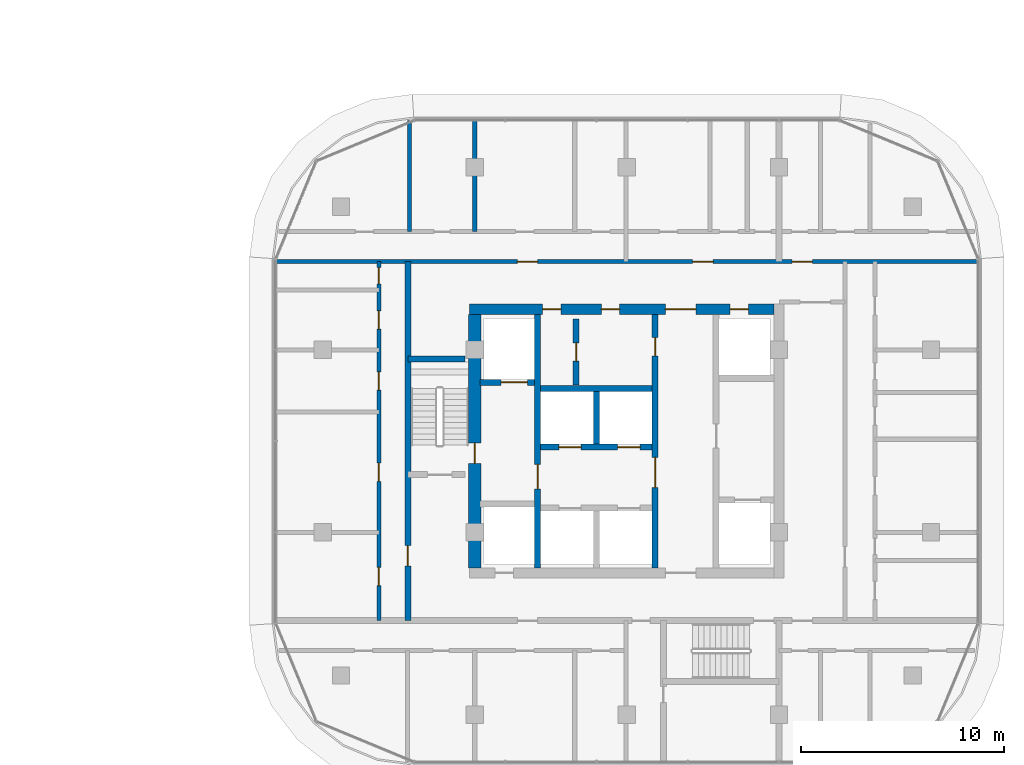
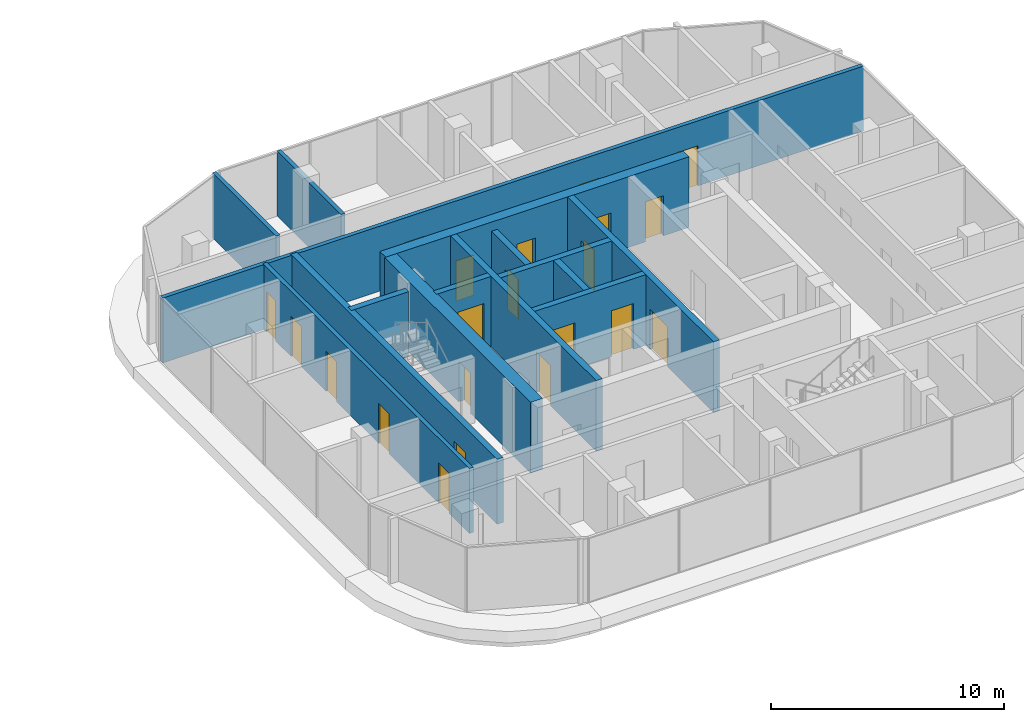
# One storey, part 23 of 36: 21 doors, 15 walls, 21 openings.
"""IFC4 building model written with IfcOpenShell, lengths in metres."""

from ifc_helpers import new_model, si_unit, direction, frame, frame_2d, origin, place, context, subcontext, project, spatial, rectangle, extrude, material, layer, layer_set, type_object, element, fill, save


model = new_model("IFC4")

# Units and contexts
model_context = context("Model", 3, precision=1e-05, world=origin(), true_north=direction((0.0, 1.0)))
body_context = subcontext(model_context, "Body", "Model", "MODEL_VIEW")
ifc_project = project(units=[si_unit("LENGTHUNIT", "METRE"), si_unit("AREAUNIT", "SQUARE_METRE"), si_unit("VOLUMEUNIT", "CUBIC_METRE"), si_unit("PLANEANGLEUNIT", "RADIAN"), si_unit("MASSUNIT", "GRAM", prefix="KILO")], contexts=[model_context])

# Site, building, storey
site_placement = place(None, origin())
site = spatial("IfcSite", under=ifc_project, at=site_placement, CompositionType="ELEMENT")
building_placement = place(site_placement, origin())
building = spatial("IfcBuilding", under=site, at=building_placement, Name="Ogive Portal Towers", CompositionType="ELEMENT")
storey_placement = place(building_placement, frame((0.0, 0.0, 63.10009765625)))
storey = spatial("IfcBuildingStorey", under=building, at=storey_placement, Name="L14", CompositionType="ELEMENT", Elevation=63.10009765625)

# Wall, opening, door
ifc_material_1 = material(Name="Concrete C60/75", Category="concrete")
ifc_layer_1 = layer(ifc_material_1, 0.300048828125)
ifc_layer_set_1 = layer_set([ifc_layer_1], Name="CORE WALL 300 C60")
wall_type_1 = type_object("IfcWallType", Name="CORE WALL 300 C60", PredefinedType="SHEAR", material=ifc_layer_set_1)
wall_1_placement = place(storey_placement, frame((132.10009765625, 24.75, 0.0), z_axis=(0.0, 0.0, 1.0), x_axis=(0.0, 1.0, 0.0)))
wall_1 = element("IfcWall", 1, at=wall_1_placement, inside=storey, type_object=wall_type_1, Name="Tower B core wall BX1 L14", PredefinedType="SHEAR", context=body_context, shape_type="SweptSolid", body=[
    extrude(rectangle(XDim=12.5, YDim=0.300048828125, at=frame_2d((6.25, 0.0))), origin(), (0.0, 0.0, 1.0), 3.699951171875),
])
opening_1_placement = place(wall_1_placement, frame((3.89990234375, 0.0, 0.0)))
opening_1 = element("IfcOpeningElement", 2, at=opening_1_placement, cuts=wall_1, Name="Opening B04-043", PredefinedType="OPENING", context=body_context, shape_type="SweptSolid", body=[
    extrude(rectangle(XDim=1.199951171875, YDim=2.10009765625, at=frame_2d((0.60009765625, 1.050048828125))), frame((0.0, 0.16015625, 0.0), z_axis=(0.0, -1.0, 0.0), x_axis=(1.0, 0.0, 0.0)), (0.0, 0.0, 1.0), 0.320068359375),
])
ifc_material_2 = material(Name="Steel fire door", Category="steel")
door_type_1 = type_object("IfcDoorType", Name="DT-SWING-1200x2100-FD90S", OperationType="SINGLE_SWING_LEFT", PredefinedType="DOOR", material=ifc_material_2)
door_1_placement = place(opening_1_placement, origin())
door_1 = element("IfcDoor", 3, at=door_1_placement, inside=storey, type_object=door_type_1, Name="Door B04-043", OperationType="SINGLE_SWING_LEFT", OverallHeight=2.10009765625, OverallWidth=1.199951171875, PredefinedType="DOOR", context=body_context, shape_type="SweptSolid", body=[
    extrude(rectangle(XDim=1.199951171875, YDim=2.10009765625, at=frame_2d((0.60009765625, 1.050048828125))), frame((0.0, 0.02490234375, 0.0), z_axis=(0.0, -1.0, 0.0), x_axis=(1.0, 0.0, 0.0)), (0.0, 0.0, 1.0), 0.050048828125),
])
fill(opening_1, door_1)

# Wall, openings, doors
wall_2_placement = place(storey_placement, frame((137.89990234375, 24.75, 0.0), z_axis=(0.0, 0.0, 1.0), x_axis=(0.0, 1.0, 0.0)))
wall_2 = element("IfcWall", 4, at=wall_2_placement, inside=storey, type_object=wall_type_1, Name="Tower B core wall BX2 L14", PredefinedType="SHEAR", context=body_context, shape_type="SweptSolid", body=[
    extrude(rectangle(XDim=12.5, YDim=0.300048828125, at=frame_2d((6.25, 0.0))), origin(), (0.0, 0.0, 1.0), 3.699951171875),
])
opening_2_placement = place(wall_2_placement, frame((3.949951171875, 0.0, 0.0)))
opening_2 = element("IfcOpeningElement", 5, at=opening_2_placement, cuts=wall_2, Name="Opening B04-042", PredefinedType="OPENING", context=body_context, shape_type="SweptSolid", body=[
    extrude(rectangle(XDim=1.5, YDim=2.10009765625, at=frame_2d((0.75, 1.050048828125))), frame((0.0, 0.16015625, 0.0), z_axis=(0.0, -1.0, 0.0), x_axis=(1.0, 0.0, 0.0)), (0.0, 0.0, 1.0), 0.320068359375),
])
opening_3_placement = place(wall_2_placement, frame((10.449951171875, 0.0, 0.0)))
opening_3 = element("IfcOpeningElement", 6, at=opening_3_placement, cuts=wall_2, Name="Opening B04-058", PredefinedType="OPENING", context=body_context, shape_type="SweptSolid", body=[
    extrude(rectangle(XDim=0.89990234375, YDim=2.10009765625, at=frame_2d((0.449951171875, 1.050048828125))), frame((0.0, 0.16015625, 0.0), z_axis=(0.0, -1.0, 0.0), x_axis=(1.0, 0.0, 0.0)), (0.0, 0.0, 1.0), 0.320068359375),
])
door_type_2 = type_object("IfcDoorType", Name="DT-SWING-1500x2100-FD90S", OperationType="SINGLE_SWING_LEFT", PredefinedType="DOOR", material=ifc_material_2)
door_2_placement = place(opening_2_placement, origin())
door_2 = element("IfcDoor", 7, at=door_2_placement, inside=storey, type_object=door_type_2, Name="Door B04-042", OperationType="SINGLE_SWING_RIGHT", OverallHeight=2.10009765625, OverallWidth=1.5, PredefinedType="DOOR", context=body_context, shape_type="SweptSolid", body=[
    extrude(rectangle(XDim=1.5, YDim=2.10009765625, at=frame_2d((0.75, 1.050048828125))), frame((0.0, 0.02490234375, 0.0), z_axis=(0.0, -1.0, 0.0), x_axis=(1.0, 0.0, 0.0)), (0.0, 0.0, 1.0), 0.050048828125),
])
fill(opening_2, door_2)
door_type_3 = type_object("IfcDoorType", Name="DT-SWING-900x2100-FD90S", OperationType="SINGLE_SWING_LEFT", PredefinedType="DOOR", material=ifc_material_2)
door_3_placement = place(opening_3_placement, origin())
door_3 = element("IfcDoor", 8, at=door_3_placement, inside=storey, type_object=door_type_3, Name="Door B04-058", OperationType="SINGLE_SWING_RIGHT", OverallHeight=2.10009765625, OverallWidth=0.89990234375, PredefinedType="DOOR", context=body_context, shape_type="SweptSolid", body=[
    extrude(rectangle(XDim=0.89990234375, YDim=2.10009765625, at=frame_2d((0.449951171875, 1.050048828125))), frame((0.0, 0.02490234375, 0.0), z_axis=(0.0, -1.0, 0.0), x_axis=(1.0, 0.0, 0.0)), (0.0, 0.0, 1.0), 0.050048828125),
])
fill(opening_3, door_3)

# Wall
wall_3_placement = place(storey_placement, frame((135.0, 30.85009765625, 0.0), z_axis=(0.0, 0.0, 1.0), x_axis=(0.0, 1.0, 0.0)))
element("IfcWall", 9, at=wall_3_placement, inside=storey, type_object=wall_type_1, Name="Tower B core wall BX5 L14", PredefinedType="SHEAR", context=body_context, shape_type="SweptSolid", body=[
    extrude(rectangle(XDim=2.599853515625, YDim=0.300048828125, at=frame_2d((1.2998046875, 0.0))), origin(), (0.0, 0.0, 1.0), 3.699951171875),
])

# Wall, openings, doors
wall_4_placement = place(storey_placement, frame((132.25, 30.699951171875, 0.0), z_axis=(0.0, 0.0, 1.0), x_axis=(1.0, 0.0, 0.0)))
wall_4 = element("IfcWall", 10, at=wall_4_placement, inside=storey, type_object=wall_type_1, Name="Tower B core wall BY2 L14", PredefinedType="SHEAR", context=body_context, shape_type="SweptSolid", body=[
    extrude(rectangle(XDim=5.5, YDim=0.300048828125, at=frame_2d((2.75, 0.0))), origin(), (0.0, 0.0, 1.0), 3.699951171875),
])
opening_4_placement = place(wall_4_placement, frame((0.89990234375, 0.0, 0.0)))
opening_4 = element("IfcOpeningElement", 11, at=opening_4_placement, cuts=wall_4, Name="Opening B04-052", PredefinedType="OPENING", context=body_context, shape_type="SweptSolid", body=[
    extrude(rectangle(XDim=1.10009765625, YDim=2.39990234375, at=frame_2d((0.550048828125, 1.199951171875))), frame((0.0, 0.16015625, 0.0), z_axis=(0.0, -1.0, 0.0), x_axis=(1.0, 0.0, 0.0)), (0.0, 0.0, 1.0), 0.320068359375),
])
opening_5_placement = place(wall_4_placement, frame((3.800048828125, 0.0, 0.0)))
opening_5 = element("IfcOpeningElement", 12, at=opening_5_placement, cuts=wall_4, Name="Opening B04-053", PredefinedType="OPENING", context=body_context, shape_type="SweptSolid", body=[
    extrude(rectangle(XDim=1.10009765625, YDim=2.39990234375, at=frame_2d((0.550048828125, 1.199951171875))), frame((0.0, 0.16015625, 0.0), z_axis=(0.0, -1.0, 0.0), x_axis=(1.0, 0.0, 0.0)), (0.0, 0.0, 1.0), 0.320068359375),
])
ifc_material_3 = material(Name="Stainless steel", Category="steel")
door_type_4 = type_object("IfcDoorType", Name="DT-LD-1100x2400", OperationType="SLIDING_TO_LEFT", PredefinedType="DOOR", material=ifc_material_3)
door_4_placement = place(opening_4_placement, origin())
door_4 = element("IfcDoor", 13, at=door_4_placement, inside=storey, type_object=door_type_4, Name="Door B04-052", OperationType="SLIDING_TO_LEFT", OverallHeight=2.39990234375, OverallWidth=1.10009765625, PredefinedType="DOOR", context=body_context, shape_type="SweptSolid", body=[
    extrude(rectangle(XDim=1.10009765625, YDim=2.39990234375, at=frame_2d((0.550048828125, 1.199951171875))), frame((0.0, 0.02490234375, 0.0), z_axis=(0.0, -1.0, 0.0), x_axis=(1.0, 0.0, 0.0)), (0.0, 0.0, 1.0), 0.050048828125),
])
fill(opening_4, door_4)
door_5_placement = place(opening_5_placement, origin())
door_5 = element("IfcDoor", 14, at=door_5_placement, inside=storey, type_object=door_type_4, Name="Door B04-053", OperationType="SLIDING_TO_LEFT", OverallHeight=2.39990234375, OverallWidth=1.10009765625, PredefinedType="DOOR", context=body_context, shape_type="SweptSolid", body=[
    extrude(rectangle(XDim=1.10009765625, YDim=2.39990234375, at=frame_2d((0.550048828125, 1.199951171875))), frame((0.0, 0.02490234375, 0.0), z_axis=(0.0, -1.0, 0.0), x_axis=(1.0, 0.0, 0.0)), (0.0, 0.0, 1.0), 0.050048828125),
])
fill(opening_5, door_5)

# Wall
wall_5_placement = place(storey_placement, frame((132.25, 33.60009765625, 0.0), z_axis=(0.0, 0.0, 1.0), x_axis=(1.0, 0.0, 0.0)))
element("IfcWall", 15, at=wall_5_placement, inside=storey, type_object=wall_type_1, Name="Tower B core wall BY3 L14", PredefinedType="SHEAR", context=body_context, shape_type="SweptSolid", body=[
    extrude(rectangle(XDim=5.5, YDim=0.300048828125, at=frame_2d((2.75, 0.0))), origin(), (0.0, 0.0, 1.0), 3.699951171875),
])

# Wall, opening, door
wall_6_placement = place(storey_placement, frame((129.25, 33.89990234375, 0.0), z_axis=(0.0, 0.0, 1.0), x_axis=(1.0, 0.0, 0.0)))
wall_6 = element("IfcWall", 16, at=wall_6_placement, inside=storey, type_object=wall_type_1, Name="Tower B core wall BY5 L14", PredefinedType="SHEAR", context=body_context, shape_type="SweptSolid", body=[
    extrude(rectangle(XDim=2.699951171875, YDim=0.300048828125, at=frame_2d((1.35009765625, 0.0))), origin(), (0.0, 0.0, 1.0), 3.699951171875),
])
opening_6_placement = place(wall_6_placement, frame((1.050048828125, 0.0, 0.0)))
opening_6 = element("IfcOpeningElement", 17, at=opening_6_placement, cuts=wall_6, Name="Opening B04-054", PredefinedType="OPENING", context=body_context, shape_type="SweptSolid", body=[
    extrude(rectangle(XDim=1.300048828125, YDim=2.39990234375, at=frame_2d((0.64990234375, 1.199951171875))), frame((0.0, 0.16015625, 0.0), z_axis=(0.0, -1.0, 0.0), x_axis=(1.0, 0.0, 0.0)), (0.0, 0.0, 1.0), 0.320068359375),
])
door_type_5 = type_object("IfcDoorType", Name="DT-LD-1300x2400", OperationType="SLIDING_TO_LEFT", PredefinedType="DOOR", material=ifc_material_3)
door_6_placement = place(opening_6_placement, origin())
door_6 = element("IfcDoor", 18, at=door_6_placement, inside=storey, type_object=door_type_5, Name="Door B04-054", OperationType="SLIDING_TO_LEFT", OverallHeight=2.39990234375, OverallWidth=1.300048828125, PredefinedType="DOOR", context=body_context, shape_type="SweptSolid", body=[
    extrude(rectangle(XDim=1.300048828125, YDim=2.39990234375, at=frame_2d((0.64990234375, 1.199951171875))), frame((0.0, 0.02490234375, 0.0), z_axis=(0.0, -1.0, 0.0), x_axis=(1.0, 0.0, 0.0)), (0.0, 0.0, 1.0), 0.050048828125),
])
fill(opening_6, door_6)

# Wall, openings, doors
ifc_layer_2 = layer(ifc_material_1, 0.5)
ifc_layer_set_2 = layer_set([ifc_layer_2], Name="CORE WALL 500 C60")
wall_type_2 = type_object("IfcWallType", Name="CORE WALL 500 C60", PredefinedType="SHEAR", material=ifc_layer_set_2)
wall_7_placement = place(storey_placement, frame((128.75, 37.5, 0.0), z_axis=(0.0, 0.0, 1.0), x_axis=(1.0, 0.0, 0.0)))
wall_7 = element("IfcWall", 19, at=wall_7_placement, inside=storey, type_object=wall_type_2, Name="Tower B core wall BN L14", PredefinedType="SHEAR", context=body_context, shape_type="SweptSolid", body=[
    extrude(rectangle(XDim=15.0, YDim=0.5, at=frame_2d((7.5, 0.0))), origin(), (0.0, 0.0, 1.0), 3.699951171875),
])
opening_7_placement = place(wall_7_placement, frame((9.64990234375, 0.0, 0.0)))
opening_7 = element("IfcOpeningElement", 20, at=opening_7_placement, cuts=wall_7, Name="Opening B04-047", PredefinedType="OPENING", context=body_context, shape_type="SweptSolid", body=[
    extrude(rectangle(XDim=1.5, YDim=2.10009765625, at=frame_2d((0.75, 1.050048828125))), frame((0.0, 0.260009765625, 0.0), z_axis=(0.0, -1.0, 0.0), x_axis=(1.0, 0.0, 0.0)), (0.0, 0.0, 1.0), 0.52001953125),
])
opening_8_placement = place(wall_7_placement, frame((12.85009765625, 0.0, 0.0)))
opening_8 = element("IfcOpeningElement", 21, at=opening_8_placement, cuts=wall_7, Name="Opening B04-049", PredefinedType="OPENING", context=body_context, shape_type="SweptSolid", body=[
    extrude(rectangle(XDim=0.89990234375, YDim=2.10009765625, at=frame_2d((0.449951171875, 1.050048828125))), frame((0.0, 0.260009765625, 0.0), z_axis=(0.0, -1.0, 0.0), x_axis=(1.0, 0.0, 0.0)), (0.0, 0.0, 1.0), 0.52001953125),
])
opening_9_placement = place(wall_7_placement, frame((3.60009765625, 0.0, 0.0)))
opening_9 = element("IfcOpeningElement", 22, at=opening_9_placement, cuts=wall_7, Name="Opening B04-056", PredefinedType="OPENING", context=body_context, shape_type="SweptSolid", body=[
    extrude(rectangle(XDim=0.89990234375, YDim=2.10009765625, at=frame_2d((0.449951171875, 1.050048828125))), frame((0.0, 0.260009765625, 0.0), z_axis=(0.0, -1.0, 0.0), x_axis=(1.0, 0.0, 0.0)), (0.0, 0.0, 1.0), 0.52001953125),
])
opening_10_placement = place(wall_7_placement, frame((6.5, 0.0, 0.0)))
opening_10 = element("IfcOpeningElement", 23, at=opening_10_placement, cuts=wall_7, Name="Opening B04-057", PredefinedType="OPENING", context=body_context, shape_type="SweptSolid", body=[
    extrude(rectangle(XDim=0.89990234375, YDim=2.10009765625, at=frame_2d((0.449951171875, 1.050048828125))), frame((0.0, 0.260009765625, 0.0), z_axis=(0.0, -1.0, 0.0), x_axis=(1.0, 0.0, 0.0)), (0.0, 0.0, 1.0), 0.52001953125),
])
door_7_placement = place(opening_7_placement, origin())
door_7 = element("IfcDoor", 24, at=door_7_placement, inside=storey, type_object=door_type_2, Name="Door B04-047", OperationType="SINGLE_SWING_RIGHT", OverallHeight=2.10009765625, OverallWidth=1.5, PredefinedType="DOOR", context=body_context, shape_type="SweptSolid", body=[
    extrude(rectangle(XDim=1.5, YDim=2.10009765625, at=frame_2d((0.75, 1.050048828125))), frame((0.0, 0.02490234375, 0.0), z_axis=(0.0, -1.0, 0.0), x_axis=(1.0, 0.0, 0.0)), (0.0, 0.0, 1.0), 0.050048828125),
])
fill(opening_7, door_7)
door_8_placement = place(opening_8_placement, origin())
door_8 = element("IfcDoor", 25, at=door_8_placement, inside=storey, type_object=door_type_3, Name="Riser access door B04-049", OperationType="SINGLE_SWING_RIGHT", OverallHeight=2.10009765625, OverallWidth=0.89990234375, PredefinedType="DOOR", context=body_context, shape_type="SweptSolid", body=[
    extrude(rectangle(XDim=0.89990234375, YDim=2.10009765625, at=frame_2d((0.449951171875, 1.050048828125))), frame((0.0, 0.02490234375, 0.0), z_axis=(0.0, -1.0, 0.0), x_axis=(1.0, 0.0, 0.0)), (0.0, 0.0, 1.0), 0.050048828125),
])
fill(opening_8, door_8)
door_9_placement = place(opening_9_placement, origin())
door_9 = element("IfcDoor", 26, at=door_9_placement, inside=storey, type_object=door_type_3, Name="Door B04-056", OperationType="SINGLE_SWING_LEFT", OverallHeight=2.10009765625, OverallWidth=0.89990234375, PredefinedType="DOOR", context=body_context, shape_type="SweptSolid", body=[
    extrude(rectangle(XDim=0.89990234375, YDim=2.10009765625, at=frame_2d((0.449951171875, 1.050048828125))), frame((0.0, 0.02490234375, 0.0), z_axis=(0.0, -1.0, 0.0), x_axis=(1.0, 0.0, 0.0)), (0.0, 0.0, 1.0), 0.050048828125),
])
fill(opening_9, door_9)
door_10_placement = place(opening_10_placement, origin())
door_10 = element("IfcDoor", 27, at=door_10_placement, inside=storey, type_object=door_type_3, Name="Door B04-057", OperationType="SINGLE_SWING_RIGHT", OverallHeight=2.10009765625, OverallWidth=0.89990234375, PredefinedType="DOOR", context=body_context, shape_type="SweptSolid", body=[
    extrude(rectangle(XDim=0.89990234375, YDim=2.10009765625, at=frame_2d((0.449951171875, 1.050048828125))), frame((0.0, 0.02490234375, 0.0), z_axis=(0.0, -1.0, 0.0), x_axis=(1.0, 0.0, 0.0)), (0.0, 0.0, 1.0), 0.050048828125),
])
fill(opening_10, door_10)

# Wall, opening, door
ifc_layer_3 = layer(ifc_material_1, 0.60009765625)
ifc_layer_set_3 = layer_set([ifc_layer_3], Name="CORE WALL 600 C60")
wall_type_3 = type_object("IfcWallType", Name="CORE WALL 600 C60", PredefinedType="SHEAR", material=ifc_layer_set_3)
wall_8_placement = place(storey_placement, frame((129.0, 24.75, 0.0), z_axis=(0.0, 0.0, 1.0), x_axis=(0.0, 1.0, 0.0)))
wall_8 = element("IfcWall", 28, at=wall_8_placement, inside=storey, type_object=wall_type_3, Name="Tower B core wall BW L14", PredefinedType="SHEAR", context=body_context, shape_type="SweptSolid", body=[
    extrude(rectangle(XDim=12.5, YDim=0.60009765625, at=frame_2d((6.25, 0.0))), origin(), (0.0, 0.0, 1.0), 3.699951171875),
])
opening_11_placement = place(wall_8_placement, frame((5.14990234375, 0.0, 0.0)))
opening_11 = element("IfcOpeningElement", 29, at=opening_11_placement, cuts=wall_8, Name="Opening B04-045", PredefinedType="OPENING", context=body_context, shape_type="SweptSolid", body=[
    extrude(rectangle(XDim=1.0, YDim=2.10009765625, at=frame_2d((0.5, 1.050048828125))), frame((0.0, 0.31005859375, 0.0), z_axis=(0.0, -1.0, 0.0), x_axis=(1.0, 0.0, 0.0)), (0.0, 0.0, 1.0), 0.6201171875),
])
door_type_6 = type_object("IfcDoorType", Name="DT-SWING-1000x2100-FD90S", OperationType="SINGLE_SWING_LEFT", PredefinedType="DOOR", material=ifc_material_2)
door_11_placement = place(opening_11_placement, origin())
door_11 = element("IfcDoor", 30, at=door_11_placement, inside=storey, type_object=door_type_6, Name="Door B04-045", OperationType="SINGLE_SWING_RIGHT", OverallHeight=2.10009765625, OverallWidth=1.0, PredefinedType="DOOR", context=body_context, shape_type="SweptSolid", body=[
    extrude(rectangle(XDim=1.0, YDim=2.10009765625, at=frame_2d((0.5, 1.050048828125))), frame((0.0, 0.02490234375, 0.0), z_axis=(0.0, -1.0, 0.0), x_axis=(1.0, 0.0, 0.0)), (0.0, 0.0, 1.0), 0.050048828125),
])
fill(opening_11, door_11)

# Wall
ifc_material_4 = material(Name="Concrete C50/60", Category="concrete")
ifc_layer_4 = layer(ifc_material_4, 0.300048828125)
ifc_layer_set_4 = layer_set([ifc_layer_4], Name="STAIR WALL 300 C50")
wall_type_4 = type_object("IfcWallType", Name="STAIR WALL 300 C50", PredefinedType="SHEAR", material=ifc_layer_set_4)
wall_9_placement = place(storey_placement, frame((125.699951171875, 35.050048828125, 0.0), z_axis=(0.0, 0.0, 1.0), x_axis=(1.0, 0.0, 0.0)))
element("IfcWall", 31, at=wall_9_placement, inside=storey, type_object=wall_type_4, Name="Stair wall ST-B1 L14", PredefinedType="SHEAR", context=body_context, shape_type="SweptSolid", body=[
    extrude(rectangle(XDim=2.830078125, YDim=0.300048828125, at=frame_2d((1.4150390625, 0.0))), origin(), (0.0, 0.0, 1.0), 3.39990234375),
])

# Wall, opening, door
wall_10_placement = place(storey_placement, frame((125.699951171875, 22.14990234375, 0.0), z_axis=(0.0, 0.0, 1.0), x_axis=(0.0, 1.0, 0.0)))
wall_10 = element("IfcWall", 32, at=wall_10_placement, inside=storey, type_object=wall_type_4, Name="Stair wall ST-B1 L14", PredefinedType="SHEAR", context=body_context, shape_type="SweptSolid", body=[
    extrude(rectangle(XDim=17.7001953125, YDim=0.300048828125, at=frame_2d((8.85009765625, 0.0))), origin(), (0.0, 0.0, 1.0), 3.39990234375),
])
opening_12_placement = place(wall_10_placement, frame((2.699951171875, 0.0, 0.0)))
opening_12 = element("IfcOpeningElement", 33, at=opening_12_placement, cuts=wall_10, Name="Opening B04-029", PredefinedType="OPENING", context=body_context, shape_type="SweptSolid", body=[
    extrude(rectangle(XDim=1.0, YDim=2.10009765625, at=frame_2d((0.5, 1.050048828125))), frame((0.0, 0.16015625, 0.0), z_axis=(0.0, -1.0, 0.0), x_axis=(1.0, 0.0, 0.0)), (0.0, 0.0, 1.0), 0.320068359375),
])
door_12_placement = place(opening_12_placement, origin())
door_12 = element("IfcDoor", 34, at=door_12_placement, inside=storey, type_object=door_type_6, Name="Door B04-029", OperationType="SINGLE_SWING_LEFT", OverallHeight=2.10009765625, OverallWidth=1.0, PredefinedType="DOOR", context=body_context, shape_type="SweptSolid", body=[
    extrude(rectangle(XDim=1.0, YDim=2.10009765625, at=frame_2d((0.5, 1.050048828125))), frame((0.0, 0.02490234375, 0.0), z_axis=(0.0, -1.0, 0.0), x_axis=(1.0, 0.0, 0.0)), (0.0, 0.0, 1.0), 0.050048828125),
])
fill(opening_12, door_12)

# Wall, openings, doors
ifc_material_5 = material(Name="Gypsum board partition on steel studs", Category="steel")
ifc_layer_5 = layer(ifc_material_5, 0.199951171875)
ifc_layer_set_5 = layer_set([ifc_layer_5], Name="WT-PART-200-EI 60")
wall_type_5 = type_object("IfcWallType", Name="WT-PART-200-EI 60", PredefinedType="PARTITIONING", material=ifc_layer_set_5)
wall_11_placement = place(storey_placement, frame((119.169921875, 39.85009765625, 0.0), z_axis=(0.0, 0.0, 1.0), x_axis=(1.0, 0.0, 0.0)))
wall_11 = element("IfcWall", 35, at=wall_11_placement, inside=storey, type_object=wall_type_5, Name="Wall L14:w020", PredefinedType="PARTITIONING", context=body_context, shape_type="SweptSolid", body=[
    extrude(rectangle(XDim=34.66015625, YDim=0.199951171875, at=frame_2d((17.330078125, 0.0))), origin(), (0.0, 0.0, 1.0), 3.39990234375),
])
opening_13_placement = place(wall_11_placement, frame((11.929931640625, 0.0, 0.0)))
opening_13 = element("IfcOpeningElement", 36, at=opening_13_placement, cuts=wall_11, Name="Opening B04-005", PredefinedType="OPENING", context=body_context, shape_type="SweptSolid", body=[
    extrude(rectangle(XDim=1.0, YDim=2.10009765625, at=frame_2d((0.5, 1.050048828125))), frame((0.0, 0.10986328125, 0.0), z_axis=(0.0, -1.0, 0.0), x_axis=(1.0, 0.0, 0.0)), (0.0, 0.0, 1.0), 0.219970703125),
])
opening_14_placement = place(wall_11_placement, frame((20.580078125, 0.0, 0.0)))
opening_14 = element("IfcOpeningElement", 37, at=opening_14_placement, cuts=wall_11, Name="Opening B04-010", PredefinedType="OPENING", context=body_context, shape_type="SweptSolid", body=[
    extrude(rectangle(XDim=1.0, YDim=2.10009765625, at=frame_2d((0.5, 1.050048828125))), frame((0.0, 0.10986328125, 0.0), z_axis=(0.0, -1.0, 0.0), x_axis=(1.0, 0.0, 0.0)), (0.0, 0.0, 1.0), 0.219970703125),
])
opening_15_placement = place(wall_11_placement, frame((25.47998046875, 0.0, 0.0)))
opening_15 = element("IfcOpeningElement", 38, at=opening_15_placement, cuts=wall_11, Name="Opening B04-014", PredefinedType="OPENING", context=body_context, shape_type="SweptSolid", body=[
    extrude(rectangle(XDim=1.0, YDim=2.10009765625, at=frame_2d((0.5, 1.050048828125))), frame((0.0, 0.10986328125, 0.0), z_axis=(0.0, -1.0, 0.0), x_axis=(1.0, 0.0, 0.0)), (0.0, 0.0, 1.0), 0.219970703125),
])
door_type_7 = type_object("IfcDoorType", Name="DT-SWING-1000x2100-FD60S", OperationType="SINGLE_SWING_LEFT", PredefinedType="DOOR", material=ifc_material_2)
door_13_placement = place(opening_13_placement, origin())
door_13 = element("IfcDoor", 39, at=door_13_placement, inside=storey, type_object=door_type_7, Name="Door B04-005", OperationType="SINGLE_SWING_LEFT", OverallHeight=2.10009765625, OverallWidth=1.0, PredefinedType="DOOR", context=body_context, shape_type="SweptSolid", body=[
    extrude(rectangle(XDim=1.0, YDim=2.10009765625, at=frame_2d((0.5, 1.050048828125))), frame((0.0, 0.02490234375, 0.0), z_axis=(0.0, -1.0, 0.0), x_axis=(1.0, 0.0, 0.0)), (0.0, 0.0, 1.0), 0.050048828125),
])
fill(opening_13, door_13)
door_14_placement = place(opening_14_placement, origin())
door_14 = element("IfcDoor", 40, at=door_14_placement, inside=storey, type_object=door_type_7, Name="Door B04-010", OperationType="SINGLE_SWING_RIGHT", OverallHeight=2.10009765625, OverallWidth=1.0, PredefinedType="DOOR", context=body_context, shape_type="SweptSolid", body=[
    extrude(rectangle(XDim=1.0, YDim=2.10009765625, at=frame_2d((0.5, 1.050048828125))), frame((0.0, 0.02490234375, 0.0), z_axis=(0.0, -1.0, 0.0), x_axis=(1.0, 0.0, 0.0)), (0.0, 0.0, 1.0), 0.050048828125),
])
fill(opening_14, door_14)
door_15_placement = place(opening_15_placement, origin())
door_15 = element("IfcDoor", 41, at=door_15_placement, inside=storey, type_object=door_type_7, Name="Door B04-014", OperationType="SINGLE_SWING_RIGHT", OverallHeight=2.10009765625, OverallWidth=1.0, PredefinedType="DOOR", context=body_context, shape_type="SweptSolid", body=[
    extrude(rectangle(XDim=1.0, YDim=2.10009765625, at=frame_2d((0.5, 1.050048828125))), frame((0.0, 0.02490234375, 0.0), z_axis=(0.0, -1.0, 0.0), x_axis=(1.0, 0.0, 0.0)), (0.0, 0.0, 1.0), 0.050048828125),
])
fill(opening_15, door_15)

wall_12_placement = place(storey_placement, frame((124.27001953125, 22.14990234375, 0.0), z_axis=(0.0, 0.0, 1.0), x_axis=(0.0, 1.0, 0.0)))
wall_12 = element("IfcWall", 42, at=wall_12_placement, inside=storey, type_object=wall_type_5, Name="Wall L14:w022", PredefinedType="PARTITIONING", context=body_context, shape_type="SweptSolid", body=[
    extrude(rectangle(XDim=17.7001953125, YDim=0.199951171875, at=frame_2d((8.85009765625, 0.0))), origin(), (0.0, 0.0, 1.0), 3.39990234375),
])
opening_16_placement = place(wall_12_placement, frame((1.72509765625, 0.0, 0.0)))
opening_16 = element("IfcOpeningElement", 43, at=opening_16_placement, cuts=wall_12, Name="Opening B04-030", PredefinedType="OPENING", context=body_context, shape_type="SweptSolid", body=[
    extrude(rectangle(XDim=0.89990234375, YDim=2.10009765625, at=frame_2d((0.449951171875, 1.050048828125))), frame((0.0, 0.10986328125, 0.0), z_axis=(0.0, -1.0, 0.0), x_axis=(1.0, 0.0, 0.0)), (0.0, 0.0, 1.0), 0.219970703125),
])
opening_17_placement = place(wall_12_placement, frame((6.866943359375, 0.0, 0.0)))
opening_17 = element("IfcOpeningElement", 44, at=opening_17_placement, cuts=wall_12, Name="Opening B04-031", PredefinedType="OPENING", context=body_context, shape_type="SweptSolid", body=[
    extrude(rectangle(XDim=0.89990234375, YDim=2.10009765625, at=frame_2d((0.449951171875, 1.050048828125))), frame((0.0, 0.10986328125, 0.0), z_axis=(0.0, -1.0, 0.0), x_axis=(1.0, 0.0, 0.0)), (0.0, 0.0, 1.0), 0.219970703125),
])
opening_18_placement = place(wall_12_placement, frame((11.366943359375, 0.0, 0.0)))
opening_18 = element("IfcOpeningElement", 45, at=opening_18_placement, cuts=wall_12, Name="Opening B04-032", PredefinedType="OPENING", context=body_context, shape_type="SweptSolid", body=[
    extrude(rectangle(XDim=0.89990234375, YDim=2.10009765625, at=frame_2d((0.449951171875, 1.050048828125))), frame((0.0, 0.10986328125, 0.0), z_axis=(0.0, -1.0, 0.0), x_axis=(1.0, 0.0, 0.0)), (0.0, 0.0, 1.0), 0.219970703125),
])
opening_19_placement = place(wall_12_placement, frame((14.3779296875, 0.0, 0.0)))
opening_19 = element("IfcOpeningElement", 46, at=opening_19_placement, cuts=wall_12, Name="Opening B04-033", PredefinedType="OPENING", context=body_context, shape_type="SweptSolid", body=[
    extrude(rectangle(XDim=0.89990234375, YDim=2.10009765625, at=frame_2d((0.449951171875, 1.050048828125))), frame((0.0, 0.10986328125, 0.0), z_axis=(0.0, -1.0, 0.0), x_axis=(1.0, 0.0, 0.0)), (0.0, 0.0, 1.0), 0.219970703125),
])
opening_20_placement = place(wall_12_placement, frame((16.60302734375, 0.0, 0.0)))
opening_20 = element("IfcOpeningElement", 47, at=opening_20_placement, cuts=wall_12, Name="Opening B04-034", PredefinedType="OPENING", context=body_context, shape_type="SweptSolid", body=[
    extrude(rectangle(XDim=0.800048828125, YDim=2.10009765625, at=frame_2d((0.39990234375, 1.050048828125))), frame((0.0, 0.10986328125, 0.0), z_axis=(0.0, -1.0, 0.0), x_axis=(1.0, 0.0, 0.0)), (0.0, 0.0, 1.0), 0.219970703125),
])
door_type_8 = type_object("IfcDoorType", Name="DT-SWING-800x2100-FD60S", OperationType="SINGLE_SWING_LEFT", PredefinedType="DOOR", material=ifc_material_2)
door_16_placement = place(opening_20_placement, origin())
door_16 = element("IfcDoor", 48, at=door_16_placement, inside=storey, type_object=door_type_8, Name="Door B04-034", OperationType="SINGLE_SWING_RIGHT", OverallHeight=2.10009765625, OverallWidth=0.800048828125, PredefinedType="DOOR", context=body_context, shape_type="SweptSolid", body=[
    extrude(rectangle(XDim=0.800048828125, YDim=2.10009765625, at=frame_2d((0.39990234375, 1.050048828125))), frame((0.0, 0.02490234375, 0.0), z_axis=(0.0, -1.0, 0.0), x_axis=(1.0, 0.0, 0.0)), (0.0, 0.0, 1.0), 0.050048828125),
])
fill(opening_20, door_16)
door_type_9 = type_object("IfcDoorType", Name="DT-SWING-900x2100-FD60S", OperationType="SINGLE_SWING_LEFT", PredefinedType="DOOR", material=ifc_material_2)
door_17_placement = place(opening_16_placement, origin())
door_17 = element("IfcDoor", 49, at=door_17_placement, inside=storey, type_object=door_type_9, Name="Door B04-030", OperationType="SINGLE_SWING_RIGHT", OverallHeight=2.10009765625, OverallWidth=0.89990234375, PredefinedType="DOOR", context=body_context, shape_type="SweptSolid", body=[
    extrude(rectangle(XDim=0.89990234375, YDim=2.10009765625, at=frame_2d((0.449951171875, 1.050048828125))), frame((0.0, 0.02490234375, 0.0), z_axis=(0.0, -1.0, 0.0), x_axis=(1.0, 0.0, 0.0)), (0.0, 0.0, 1.0), 0.050048828125),
])
fill(opening_16, door_17)
door_18_placement = place(opening_17_placement, origin())
door_18 = element("IfcDoor", 50, at=door_18_placement, inside=storey, type_object=door_type_9, Name="Door B04-031", OperationType="SINGLE_SWING_LEFT", OverallHeight=2.10009765625, OverallWidth=0.89990234375, PredefinedType="DOOR", context=body_context, shape_type="SweptSolid", body=[
    extrude(rectangle(XDim=0.89990234375, YDim=2.10009765625, at=frame_2d((0.449951171875, 1.050048828125))), frame((0.0, 0.02490234375, 0.0), z_axis=(0.0, -1.0, 0.0), x_axis=(1.0, 0.0, 0.0)), (0.0, 0.0, 1.0), 0.050048828125),
])
fill(opening_17, door_18)
door_19_placement = place(opening_18_placement, origin())
door_19 = element("IfcDoor", 51, at=door_19_placement, inside=storey, type_object=door_type_9, Name="Door B04-032", OperationType="SINGLE_SWING_RIGHT", OverallHeight=2.10009765625, OverallWidth=0.89990234375, PredefinedType="DOOR", context=body_context, shape_type="SweptSolid", body=[
    extrude(rectangle(XDim=0.89990234375, YDim=2.10009765625, at=frame_2d((0.449951171875, 1.050048828125))), frame((0.0, 0.02490234375, 0.0), z_axis=(0.0, -1.0, 0.0), x_axis=(1.0, 0.0, 0.0)), (0.0, 0.0, 1.0), 0.050048828125),
])
fill(opening_18, door_19)
door_20_placement = place(opening_19_placement, origin())
door_20 = element("IfcDoor", 52, at=door_20_placement, inside=storey, type_object=door_type_9, Name="Door B04-033", OperationType="SINGLE_SWING_LEFT", OverallHeight=2.10009765625, OverallWidth=0.89990234375, PredefinedType="DOOR", context=body_context, shape_type="SweptSolid", body=[
    extrude(rectangle(XDim=0.89990234375, YDim=2.10009765625, at=frame_2d((0.449951171875, 1.050048828125))), frame((0.0, 0.02490234375, 0.0), z_axis=(0.0, -1.0, 0.0), x_axis=(1.0, 0.0, 0.0)), (0.0, 0.0, 1.0), 0.050048828125),
])
fill(opening_19, door_20)

# Walls
wall_13_placement = place(storey_placement, frame((125.782958984375, 41.330078125, 0.0), z_axis=(0.0, 0.0, 1.0), x_axis=(0.0, 1.0, 0.0)))
element("IfcWall", 53, at=wall_13_placement, inside=storey, type_object=wall_type_5, Name="Wall L14:w025", PredefinedType="PARTITIONING", context=body_context, shape_type="SweptSolid", body=[
    extrude(rectangle(XDim=5.470947265625, YDim=0.199951171875, at=frame_2d((2.7353515625, 0.0))), origin(), (0.0, 0.0, 1.0), 3.39990234375),
])
wall_14_placement = place(storey_placement, frame((129.0, 41.330078125, 0.0), z_axis=(0.0, 0.0, 1.0), x_axis=(0.0, 1.0, 0.0)))
element("IfcWall", 54, at=wall_14_placement, inside=storey, type_object=wall_type_5, Name="Wall L14:w029", PredefinedType="PARTITIONING", context=body_context, shape_type="SweptSolid", body=[
    extrude(rectangle(XDim=5.5, YDim=0.199951171875, at=frame_2d((2.75, 0.0))), origin(), (0.0, 0.0, 1.0), 3.39990234375),
])

# Wall, opening, door
ifc_layer_6 = layer(ifc_material_5, 0.300048828125)
ifc_layer_set_6 = layer_set([ifc_layer_6], Name="WT-PART-300-EI 60")
wall_type_6 = type_object("IfcWallType", Name="WT-PART-300-EI 60", PredefinedType="PARTITIONING", material=ifc_layer_set_6)
wall_15_placement = place(storey_placement, frame((134.0, 33.77001953125, 0.0), z_axis=(0.0, 0.0, 1.0), x_axis=(0.0, 1.0, 0.0)))
wall_15 = element("IfcWall", 55, at=wall_15_placement, inside=storey, type_object=wall_type_6, Name="Wall L14:w032", PredefinedType="PARTITIONING", context=body_context, shape_type="SweptSolid", body=[
    extrude(rectangle(XDim=3.260009765625, YDim=0.300048828125, at=frame_2d((1.6298828125, 0.0))), origin(), (0.0, 0.0, 1.0), 3.39990234375),
])
opening_21_placement = place(wall_15_placement, frame((1.179931640625, 0.0, 0.0)))
opening_21 = element("IfcOpeningElement", 56, at=opening_21_placement, cuts=wall_15, Name="Opening B04-004", PredefinedType="OPENING", context=body_context, shape_type="SweptSolid", body=[
    extrude(rectangle(XDim=0.89990234375, YDim=2.10009765625, at=frame_2d((0.449951171875, 1.050048828125))), frame((0.0, 0.16015625, 0.0), z_axis=(0.0, -1.0, 0.0), x_axis=(1.0, 0.0, 0.0)), (0.0, 0.0, 1.0), 0.320068359375),
])
door_21_placement = place(opening_21_placement, origin())
door_21 = element("IfcDoor", 57, at=door_21_placement, inside=storey, type_object=door_type_9, Name="Door B04-004", OperationType="SINGLE_SWING_RIGHT", OverallHeight=2.10009765625, OverallWidth=0.89990234375, PredefinedType="DOOR", context=body_context, shape_type="SweptSolid", body=[
    extrude(rectangle(XDim=0.89990234375, YDim=2.10009765625, at=frame_2d((0.449951171875, 1.050048828125))), frame((0.0, 0.02490234375, 0.0), z_axis=(0.0, -1.0, 0.0), x_axis=(1.0, 0.0, 0.0)), (0.0, 0.0, 1.0), 0.050048828125),
])
fill(opening_21, door_21)

save(model, "model.ifc")
